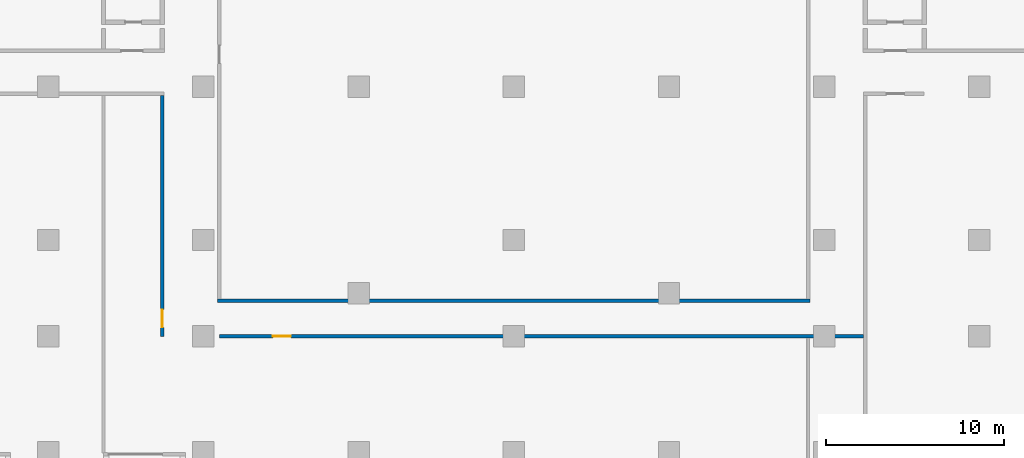
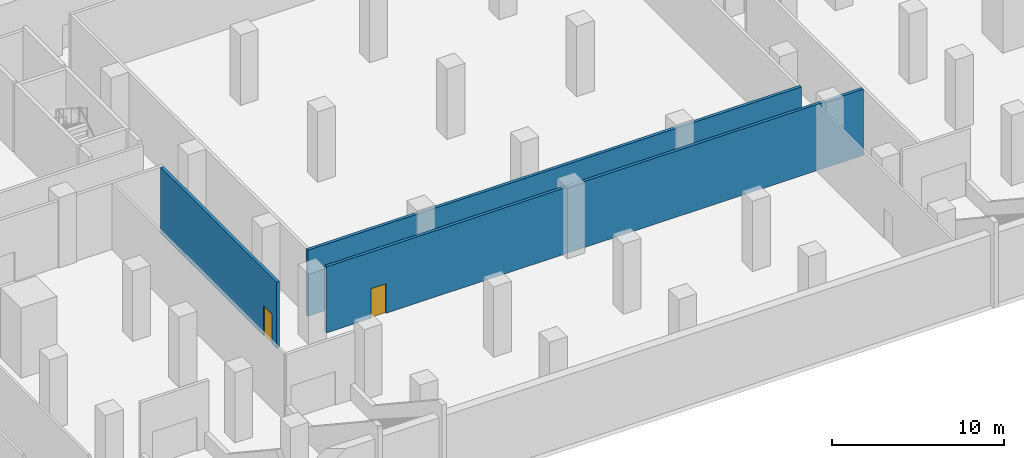
# One storey, part 4 of 16: 3 walls, 2 doors, 2 openings.
"""IFC4 building model written with IfcOpenShell, lengths in metres."""

import ifcopenshell
import ifcopenshell.guid

model = None  # the IFC model being written
_history = None  # IfcOwnerHistory: only IFC2X3 demands one
_inside = {}  # id of a spatial element -> (the spatial element, [elements in it])
_under = {}  # id of a project, library or spatial element -> (it, [spatial elements below it])
_declared = {}  # id of a project -> (the project, [libraries it declares])
_typed = {}  # id of a type object -> (the type object, [elements of that type])
_made_of = {}  # id of a material, layer set ... -> (it, [elements and type objects made of it])


def new_model(schema):
    """Start an empty IFC model of exactly this schema.

    Asked for "IFC4X3", IfcOpenShell would pick the latest addendum, in which some entities
    have other attributes; the version numbers below select the first issue.
    IFC2X3 requires an IfcOwnerHistory on every rooted entity: one is made here for all.
    """
    global model, _history
    if schema == "IFC4X3":
        model = ifcopenshell.file(schema_version=(4, 3, 0, 0))
    else:
        model = ifcopenshell.file(schema=schema)
    _inside.clear()
    _under.clear()
    _declared.clear()
    _typed.clear()
    _made_of.clear()
    _history = None
    if model.schema == "IFC2X3":
        org = make("IfcOrganization", Name="unknown")
        user = make(
            "IfcPersonAndOrganization",
            ThePerson=make("IfcPerson", FamilyName="unknown"),
            TheOrganization=org,
        )
        app = make(
            "IfcApplication",
            ApplicationDeveloper=org,
            Version="unknown",
            ApplicationFullName="unknown",
            ApplicationIdentifier="unknown",
        )
        _history = make(
            "IfcOwnerHistory",
            OwningUser=user,
            OwningApplication=app,
            ChangeAction="ADDED",
            CreationDate=0,
        )
    return model


def make(cls, **values):
    """One entity of the class cls with the attributes given. An attribute that is None is left unset."""
    return model.create_entity(
        cls, **{name: value for name, value in values.items() if value is not None}
    )


def rooted(cls, **values):
    """An entity with a GlobalId (a new one), such as an element, a storey or a relation."""
    return make(cls, GlobalId=ifcopenshell.guid.new(), OwnerHistory=_history, **values)


def si_unit(unit_type, name, prefix=None):
    """IfcSIUnit, for example si_unit("LENGTHUNIT", "METRE", prefix="MILLI")."""
    return make("IfcSIUnit", UnitType=unit_type, Prefix=prefix, Name=name)


def assignment(units):
    """IfcUnitAssignment: the units of a project."""
    return None if units is None else make("IfcUnitAssignment", Units=units)


def point(xyz):
    """IfcCartesianPoint."""
    return None if xyz is None else make("IfcCartesianPoint", Coordinates=xyz)


def direction(xyz):
    """IfcDirection."""
    return None if xyz is None else make("IfcDirection", DirectionRatios=xyz)


def frame(location, z_axis=None, x_axis=None):
    """IfcAxis2Placement3D, a coordinate frame: its origin and axes. An axis left out is left unset."""
    return make(
        "IfcAxis2Placement3D",
        Location=point(location),
        Axis=direction(z_axis),
        RefDirection=direction(x_axis),
    )


def frame_2d(location, x_axis=None):
    """IfcAxis2Placement2D, a coordinate frame in the plane: its origin and x axis."""
    return make(
        "IfcAxis2Placement2D", Location=point(location), RefDirection=direction(x_axis)
    )


def origin():
    """The frame at (0, 0, 0) with its axes left unset."""
    return frame((0.0, 0.0, 0.0))


def place(relative_to, where):
    """IfcLocalPlacement: puts the frame where relative to a parent placement (None: the world)."""
    return make(
        "IfcLocalPlacement", PlacementRelTo=relative_to, RelativePlacement=where
    )


def context(
    kind, dimensions, precision=None, world=None, true_north=None, identifier=None
):
    """IfcGeometricRepresentationContext, for example the 3D "Model" context."""
    return make(
        "IfcGeometricRepresentationContext",
        ContextIdentifier=identifier,
        ContextType=kind,
        CoordinateSpaceDimension=dimensions,
        Precision=precision,
        WorldCoordinateSystem=world,
        TrueNorth=true_north,
    )


def subcontext(parent, identifier, kind, view, scale=None):
    """IfcGeometricRepresentationSubContext, for example "Body" below "Model"."""
    return make(
        "IfcGeometricRepresentationSubContext",
        ContextIdentifier=identifier,
        ContextType=kind,
        ParentContext=parent,
        TargetScale=scale,
        TargetView=view,
    )


def project(units=None, contexts=None):
    """IfcProject with its units and contexts."""
    return rooted(
        "IfcProject",
        Name="project",
        RepresentationContexts=contexts,
        UnitsInContext=assignment(units),
    )


def spatial(cls, under=None, at=None, **own):
    """A site, building, storey or space (cls), placed at a placement, below another one or the project."""
    s = rooted(cls, ObjectPlacement=at, **own)
    if under is not None:
        _under.setdefault(under.id(), (under, []))[1].append(s)
    return s


def profile(cls, at=None, kind="AREA", **sizes):
    """A parametric profile (cls). Its sizes go by their IFC names, for example OverallWidth=200.0."""
    return make(cls, ProfileType=kind, Position=at, **sizes)


def rectangle(**sizes):
    """IfcRectangleProfileDef."""
    return profile("IfcRectangleProfileDef", **sizes)


def extrude(swept, where, along, depth):
    """IfcExtrudedAreaSolid: the profile swept, set in the frame where, extruded along a direction by depth."""
    return make(
        "IfcExtrudedAreaSolid",
        SweptArea=swept,
        Position=where,
        ExtrudedDirection=direction(along),
        Depth=depth,
    )


def shape(context_of_items, identifier, shape_type, items):
    """IfcShapeRepresentation: the items that make up one representation, for example the "Body"."""
    return make(
        "IfcShapeRepresentation",
        ContextOfItems=context_of_items,
        RepresentationIdentifier=identifier,
        RepresentationType=shape_type,
        Items=items,
    )


def material(Name=None, Category=None):
    """IfcMaterial."""
    return make("IfcMaterial", Name=Name, Category=Category)


def layer(
    of_material, thickness, ventilated=None, Name=None, Category=None, Priority=None
):
    """IfcMaterialLayer: one layer of a wall or slab, of a material (None: an air gap)."""
    return make(
        "IfcMaterialLayer",
        Material=of_material,
        LayerThickness=thickness,
        IsVentilated=ventilated,
        Name=Name,
        Category=Category,
        Priority=Priority,
    )


def layer_set(layers, Name=None):
    """IfcMaterialLayerSet."""
    return make("IfcMaterialLayerSet", MaterialLayers=layers, LayerSetName=Name)


def made_of(thing, what):
    """Note that an element or type object is made of a material, layer set ...; save() writes the relation."""
    if what is not None:
        _made_of.setdefault(what.id(), (what, []))[1].append(thing)
    return thing


def type_object(cls, material=None, **own):
    """A type object (cls), such as IfcWallType, which elements share."""
    return made_of(rooted(cls, **own), material)


def element(
    cls,
    number,
    at=None,
    inside=None,
    cuts=None,
    type_object=None,
    material=None,
    context=None,
    identifier="Body",
    shape_type=None,
    held_by="IfcProductDefinitionShape",
    body=None,
    shapes=None,
    **own,
):
    """One element of the class cls, such as IfcWall. Its Tag is "e" and its number.

    at: its placement. inside: the storey or other place that contains it. cuts: it is an
    opening in that element (IfcRelVoidsElement). A single representation is given by context,
    identifier, shape_type and body (its items); several are given by shapes. held_by: the class
    of the entity that holds the representations. save() writes the other relations.
    """
    e = rooted(cls, Tag="e%d" % number, ObjectPlacement=at, **own)
    if body is not None:
        shapes = [shape(context, identifier, shape_type, body)]
    if shapes is not None:
        e.Representation = make(held_by, Representations=shapes)
    if inside is not None:
        _inside.setdefault(inside.id(), (inside, []))[1].append(e)
    if cuts is not None:
        rooted(
            "IfcRelVoidsElement", RelatingBuildingElement=cuts, RelatedOpeningElement=e
        )
    if type_object is not None:
        _typed.setdefault(type_object.id(), (type_object, []))[1].append(e)
    return made_of(e, material)


def fill(opening, filler):
    """IfcRelFillsElement: the door or window that sits in an opening."""
    return rooted(
        "IfcRelFillsElement",
        RelatingOpeningElement=opening,
        RelatedBuildingElement=filler,
    )


def aggregate(whole, parts):
    """IfcRelAggregates: a whole, such as a stair, and the parts it consists of."""
    return rooted("IfcRelAggregates", RelatingObject=whole, RelatedObjects=parts)


def save(model, path):
    """Write the relations noted so far, then the file.

    IfcRelAggregates (storeys below a building ...), IfcRelContainedInSpatialStructure (elements
    in a storey), IfcRelDefinesByType, IfcRelAssociatesMaterial and IfcRelDeclares: one each for
    every whole, place, type object, material and project.
    """
    for whole, parts in _under.values():
        aggregate(whole, parts)
    for where, things in _inside.values():
        rooted(
            "IfcRelContainedInSpatialStructure",
            RelatedElements=things,
            RelatingStructure=where,
        )
    for kind, things in _typed.values():
        rooted("IfcRelDefinesByType", RelatedObjects=things, RelatingType=kind)
    for what, things in _made_of.values():
        rooted("IfcRelAssociatesMaterial", RelatedObjects=things, RelatingMaterial=what)
    for by, libraries in _declared.values():
        rooted("IfcRelDeclares", RelatingContext=by, RelatedDefinitions=libraries)
    model.write(path)


model = new_model("IFC4")

# Units and contexts
model_context = context("Model", 3, precision=1e-05, world=origin(), true_north=direction((0.0, 1.0)))
body_context = subcontext(model_context, "Body", "Model", "MODEL_VIEW")
ifc_project = project(units=[si_unit("LENGTHUNIT", "METRE"), si_unit("AREAUNIT", "SQUARE_METRE"), si_unit("VOLUMEUNIT", "CUBIC_METRE"), si_unit("PLANEANGLEUNIT", "RADIAN"), si_unit("MASSUNIT", "GRAM", prefix="KILO")], contexts=[model_context])

# Site, building, storey
site_placement = place(None, origin())
site = spatial("IfcSite", under=ifc_project, at=site_placement, CompositionType="ELEMENT")
building_placement = place(site_placement, origin())
building = spatial("IfcBuilding", under=site, at=building_placement, Name="Bicima Exchange Tower", CompositionType="ELEMENT")
storey_placement = place(building_placement, frame((0.0, 0.0, -5.0)))
storey = spatial("IfcBuildingStorey", under=building, at=storey_placement, Name="B1", CompositionType="ELEMENT", Elevation=-5.0)

# Wall, opening, door
ifc_material_1 = material(Name="Gypsum board partition")
ifc_layer = layer(ifc_material_1, 0.199951171875)
ifc_layer_set = layer_set([ifc_layer], Name="Gypsum board partition")
wall_type = type_object("IfcWallType", Name="Fire-rated gypsum partition 200 EI60", PredefinedType="PARTITIONING", material=ifc_layer_set)
wall_1_placement = place(storey_placement, frame((-16.5, -45.0, 0.0), z_axis=(0.0, 0.0, 1.0), x_axis=(1.0, 0.0, 0.0)))
wall_1 = element("IfcWall", 1, at=wall_1_placement, inside=storey, type_object=wall_type, Name="partition wall 1", PredefinedType="PARTITIONING", context=body_context, shape_type="SweptSolid", body=[
    extrude(rectangle(XDim=36.10009765625, YDim=0.199951171875, at=frame_2d((18.050048828125, 0.0))), origin(), (0.0, 0.0, 1.0), 4.699951171875),
])
opening_1_placement = place(wall_1_placement, frame((3.0, 0.0, 0.0)))
opening_1 = element("IfcOpeningElement", 2, at=opening_1_placement, cuts=wall_1, Name="Opening B1-014", PredefinedType="OPENING", context=body_context, shape_type="SweptSolid", body=[
    extrude(rectangle(XDim=1.0, YDim=2.10009765625, at=frame_2d((0.5, 1.050048828125))), frame((0.0, 0.11181640625, 0.0), z_axis=(0.0, -1.0, 0.0), x_axis=(1.0, 0.0, 0.0)), (0.0, 0.0, 1.0), 0.223876953125),
])
ifc_material_2 = material(Name="Steel fire door leaf", Category="steel")
door_type = type_object("IfcDoorType", Name="Door 1000 swing FD30S", OperationType="SINGLE_SWING_LEFT", PredefinedType="DOOR", material=ifc_material_2)
door_1_placement = place(opening_1_placement, frame((1.0, 0.0, 0.0), z_axis=(0.0, 0.0, 1.0), x_axis=(-1.0, 0.0, 0.0)))
door_1 = element("IfcDoor", 3, at=door_1_placement, inside=storey, type_object=door_type, Name="Door", OperationType="SINGLE_SWING_RIGHT", OverallHeight=2.10009765625, OverallWidth=1.0, PredefinedType="DOOR", context=body_context, shape_type="SweptSolid", body=[
    extrude(rectangle(XDim=1.0, YDim=2.10009765625, at=frame_2d((0.5, 1.050048828125))), frame((0.0, 0.02490234375, 0.0), z_axis=(0.0, -1.0, 0.0), x_axis=(1.0, 0.0, 0.0)), (0.0, 0.0, 1.0), 0.050048828125),
])
fill(opening_1, door_1)

# Wall
wall_2_placement = place(storey_placement, frame((-16.60009765625, -43.0, 0.0), z_axis=(0.0, 0.0, 1.0), x_axis=(1.0, 0.0, 0.0)))
element("IfcWall", 4, at=wall_2_placement, inside=storey, type_object=wall_type, Name="partition wall 2", PredefinedType="PARTITIONING", context=body_context, shape_type="SweptSolid", body=[
    extrude(rectangle(XDim=33.2001953125, YDim=0.199951171875, at=frame_2d((16.60009765625, 0.0))), origin(), (0.0, 0.0, 1.0), 4.699951171875),
])

# Wall, opening, door
wall_3_placement = place(storey_placement, frame((-19.699951171875, -45.0, 0.0), z_axis=(0.0, 0.0, 1.0), x_axis=(0.0, 1.0, 0.0)))
wall_3 = element("IfcWall", 5, at=wall_3_placement, inside=storey, type_object=wall_type, Name="partition wall 39", PredefinedType="PARTITIONING", context=body_context, shape_type="SweptSolid", body=[
    extrude(rectangle(XDim=13.5, YDim=0.199951171875, at=frame_2d((6.75, 0.0))), origin(), (0.0, 0.0, 1.0), 4.699951171875),
])
opening_2_placement = place(wall_3_placement, frame((0.5, 0.0, 0.0)))
opening_2 = element("IfcOpeningElement", 6, at=opening_2_placement, cuts=wall_3, Name="Opening B1-025", PredefinedType="OPENING", context=body_context, shape_type="SweptSolid", body=[
    extrude(rectangle(XDim=1.0, YDim=2.10009765625, at=frame_2d((0.5, 1.050048828125))), frame((0.0, 0.11181640625, 0.0), z_axis=(0.0, -1.0, 0.0), x_axis=(1.0, 0.0, 0.0)), (0.0, 0.0, 1.0), 0.223876953125),
])
door_2_placement = place(opening_2_placement, origin())
door_2 = element("IfcDoor", 7, at=door_2_placement, inside=storey, type_object=door_type, Name="Door", OperationType="SINGLE_SWING_LEFT", OverallHeight=2.10009765625, OverallWidth=1.0, PredefinedType="DOOR", context=body_context, shape_type="SweptSolid", body=[
    extrude(rectangle(XDim=1.0, YDim=2.10009765625, at=frame_2d((0.5, 1.050048828125))), frame((0.0, 0.02490234375, 0.0), z_axis=(0.0, -1.0, 0.0), x_axis=(1.0, 0.0, 0.0)), (0.0, 0.0, 1.0), 0.050048828125),
])
fill(opening_2, door_2)

save(model, "model.ifc")
